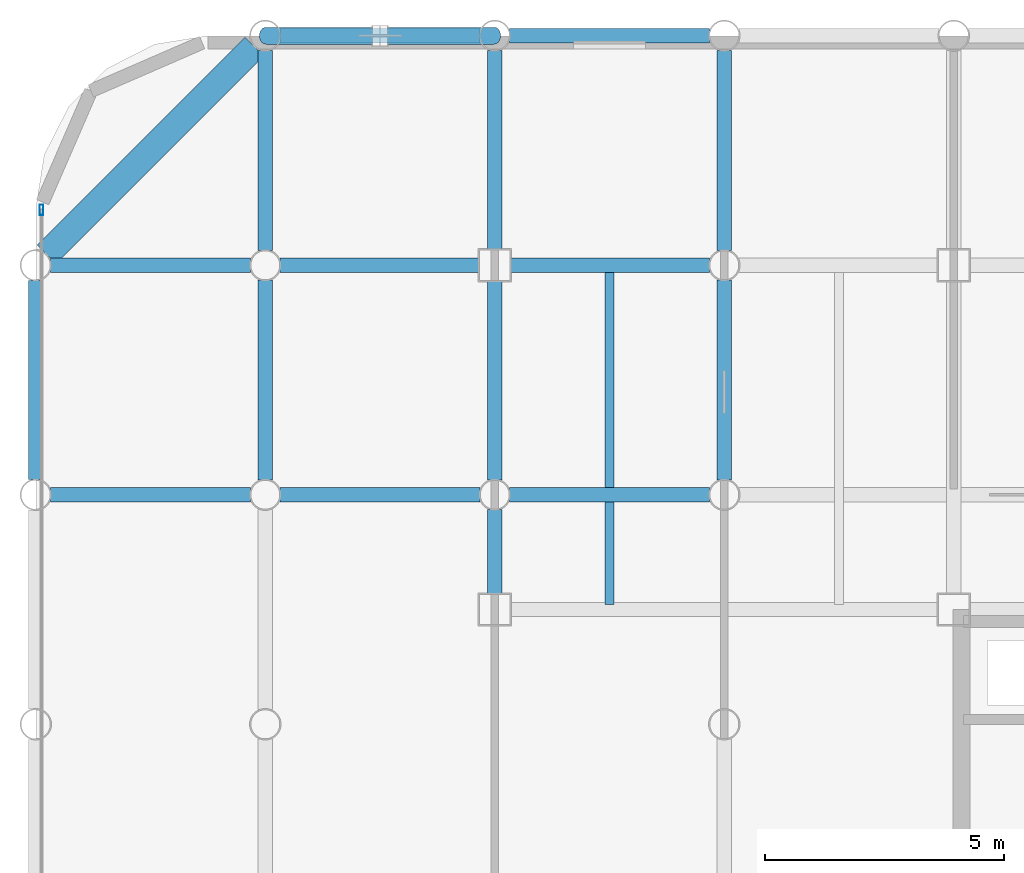
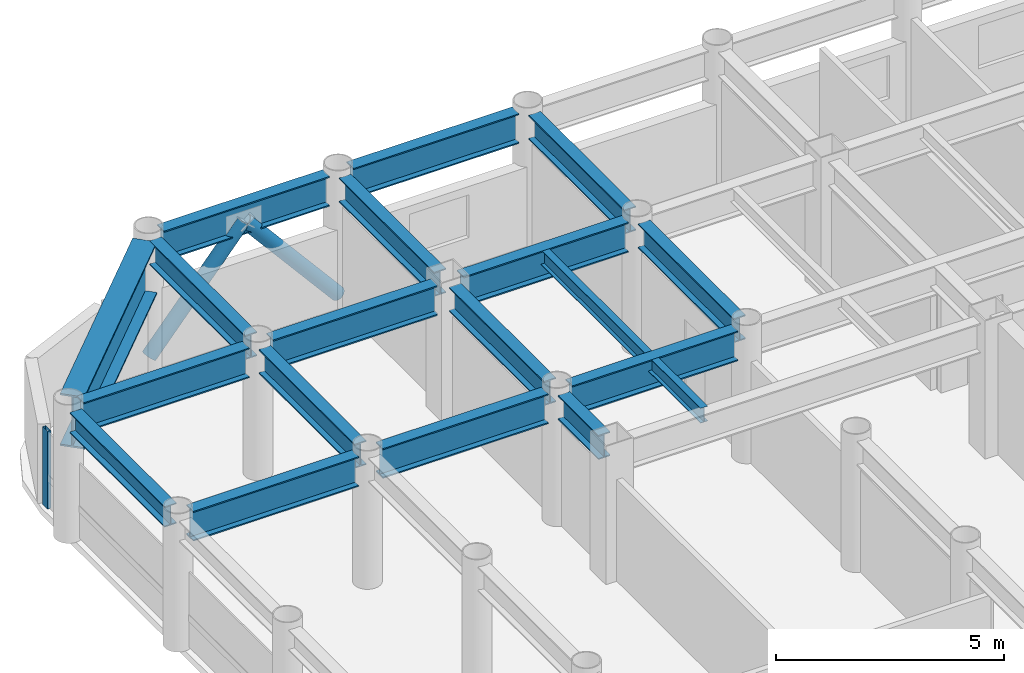
# One storey, part 9 of 20: 18 beams, 3 members, 1 element without a shape of its own.
"""IFC4 building model written with IfcOpenShell, lengths in metres."""

from ifc_helpers import new_model, si_unit, direction, frame, origin, origin_2d, place, context, subcontext, project, spatial, hollow_rectangle, hollow_circle, i_section, extrude, material, layer, layer_set, material_profile, profile_set, type_object, element, aggregate, save


model = new_model("IFC4")

# Units and contexts
model_context = context("Model", 3, precision=1e-05, world=origin(), true_north=direction((0.0, 1.0)))
body_context = subcontext(model_context, "Body", "Model", "MODEL_VIEW")
ifc_project = project(units=[si_unit("LENGTHUNIT", "METRE"), si_unit("AREAUNIT", "SQUARE_METRE"), si_unit("VOLUMEUNIT", "CUBIC_METRE"), si_unit("PLANEANGLEUNIT", "RADIAN"), si_unit("MASSUNIT", "GRAM", prefix="KILO")], contexts=[model_context])

# Site, building, storey
site_placement = place(None, origin())
site = spatial("IfcSite", under=ifc_project, at=site_placement, CompositionType="ELEMENT")
building_placement = place(site_placement, origin())
building = spatial("IfcBuilding", under=site, at=building_placement, Name="Kallvorn Hotel Tower", CompositionType="ELEMENT")
storey_placement = place(building_placement, frame((0.0, 0.0, 158.10009765625)))
storey = spatial("IfcBuildingStorey", under=building, at=storey_placement, Name="L39", CompositionType="ELEMENT", Elevation=158.10009765625)

# Beams
ifc_material_1 = material(Name="Structural steel S355JR", Category="steel")
ifc_material_profile_1 = material_profile(ifc_material_1, i_section(OverallWidth=0.300048828125, OverallDepth=0.550048828125, WebThickness=0.014892578125, FlangeThickness=0.029052734375, at=origin_2d()), Name="HE 550 B")
ifc_profile_set_1 = profile_set([ifc_material_profile_1], Name="Structural steel S355JR")
beam_type_1 = type_object("IfcBeamType", Name="BM_HE550B", PredefinedType="SPANDREL", material=ifc_profile_set_1)
beam_1_placement = place(storey_placement, frame((-33.60009765625, 9.919921875, 3.244873046875), z_axis=(0.0, 1.0, 0.0), x_axis=(-1.0, 0.0, 0.0)))
element("IfcBeam", 1, at=beam_1_placement, inside=storey, type_object=beam_type_1, Name="L40 Perimeter Spandrel 180", PredefinedType="SPANDREL", context=body_context, shape_type="SweptSolid", body=[
    extrude(i_section(OverallWidth=0.300048828125, OverallDepth=0.550048828125, WebThickness=0.014892578125, FlangeThickness=0.029052734375, at=origin_2d()), origin(), (0.0, 0.0, 1.0), 4.16015625),
])
ifc_material_2 = material(Name="Structural steel S355JR", Category="steel")
ifc_material_profile_2 = material_profile(ifc_material_2, i_section(OverallWidth=0.300048828125, OverallDepth=0.64990234375, WebThickness=0.01611328125, FlangeThickness=0.031005859375, at=origin_2d()), Name="HE 650 B")
ifc_profile_set_2 = profile_set([ifc_material_profile_2], Name="Structural steel S355JR")
beam_type_2 = type_object("IfcBeamType", Name="BM_HE650B", PredefinedType="BEAM", material=ifc_profile_set_2)
for number, where, z_axis, x_axis, name in (
    (2, (-28.800048828125, 9.905029296875, 3.19482421875), (0.0, 1.0, 0.0), (-1.0, 0.0, 0.0), "L40 Primary Y-Girder 80"),
    (3, (-28.800048828125, 14.705078125, 3.19482421875), (0.0, 1.0, 0.0), (-1.0, 0.0, 0.0), "L40 Primary Y-Girder 81"),
):
    element("IfcBeam", number, at=place(storey_placement, frame(where, z_axis=z_axis, x_axis=x_axis)), inside=storey, type_object=beam_type_2, Name=name, PredefinedType="BEAM", context=body_context, shape_type="SweptSolid", body=[
        extrude(i_section(OverallWidth=0.300048828125, OverallDepth=0.64990234375, WebThickness=0.01611328125, FlangeThickness=0.031005859375, at=origin_2d()), origin(), (0.0, 0.0, 1.0), 4.18994140625),
    ])
beam_2_placement = place(storey_placement, frame((-24.0, 7.52490234375, 3.19482421875), z_axis=(0.0, 1.0, 0.0), x_axis=(-1.0, 0.0, 0.0)))
element("IfcBeam", 4, at=beam_2_placement, inside=storey, type_object=beam_type_2, Name="L40 Primary Y-Girder 86", PredefinedType="BEAM", context=body_context, shape_type="SweptSolid", body=[
    extrude(i_section(OverallWidth=0.300048828125, OverallDepth=0.64990234375, WebThickness=0.01611328125, FlangeThickness=0.031005859375, at=origin_2d()), origin(), (0.0, 0.0, 1.0), 1.77001953125),
])
for number, where, z_axis, x_axis, name in (
    (5, (-24.0, 9.905029296875, 3.19482421875), (0.0, 1.0, 0.0), (-1.0, 0.0, 0.0), "L40 Primary Y-Girder 87"),
    (6, (-24.0, 14.72509765625, 3.19482421875), (0.0, 1.0, 0.0), (-1.0, 0.0, 0.0), "L40 Primary Y-Girder 88"),
):
    element("IfcBeam", number, at=place(storey_placement, frame(where, z_axis=z_axis, x_axis=x_axis)), inside=storey, type_object=beam_type_2, Name=name, PredefinedType="BEAM", context=body_context, shape_type="SweptSolid", body=[
        extrude(i_section(OverallWidth=0.300048828125, OverallDepth=0.64990234375, WebThickness=0.01611328125, FlangeThickness=0.031005859375, at=origin_2d()), origin(), (0.0, 0.0, 1.0), 4.169921875),
    ])
for number, where, z_axis, x_axis, name in (
    (7, (-19.199951171875, 9.905029296875, 3.19482421875), (0.0, 1.0, 0.0), (-1.0, 0.0, 0.0), "L40 Primary Y-Girder 96"),
    (8, (-19.199951171875, 14.705078125, 3.19482421875), (0.0, 1.0, 0.0), (-1.0, 0.0, 0.0), "L40 Primary Y-Girder 97"),
):
    element("IfcBeam", number, at=place(storey_placement, frame(where, z_axis=z_axis, x_axis=x_axis)), inside=storey, type_object=beam_type_2, Name=name, PredefinedType="BEAM", context=body_context, shape_type="SweptSolid", body=[
        extrude(i_section(OverallWidth=0.300048828125, OverallDepth=0.64990234375, WebThickness=0.01611328125, FlangeThickness=0.031005859375, at=origin_2d()), origin(), (0.0, 0.0, 1.0), 4.18994140625),
    ])
ifc_material_3 = material(Name="Structural steel S355JR", Category="steel")
ifc_material_profile_3 = material_profile(ifc_material_3, i_section(OverallWidth=0.300048828125, OverallDepth=0.800048828125, WebThickness=0.017578125, FlangeThickness=0.032958984375, at=origin_2d()), Name="HE 800 B")
ifc_profile_set_3 = profile_set([ifc_material_profile_3], Name="Structural steel S355JR")
beam_type_3 = type_object("IfcBeamType", Name="BM_HE800B", PredefinedType="BEAM", material=ifc_profile_set_3)
beam_3_placement = place(storey_placement, frame((-33.294921875, 9.60009765625, 3.119873046875), z_axis=(1.0, 0.0, 0.0), x_axis=(0.0, 1.0, 0.0)))
element("IfcBeam", 9, at=beam_3_placement, inside=storey, type_object=beam_type_3, Name="L40 Primary X-Girder 42", PredefinedType="BEAM", context=body_context, shape_type="SweptSolid", body=[
    extrude(i_section(OverallWidth=0.300048828125, OverallDepth=0.800048828125, WebThickness=0.017578125, FlangeThickness=0.032958984375, at=origin_2d()), origin(), (0.0, 0.0, 1.0), 4.18994140625),
])
for number, where, z_axis, x_axis, name in (
    (10, (-28.4951171875, 9.60009765625, 3.119873046875), (1.0, 0.0, 0.0), (0.0, 1.0, 0.0), "L40 Primary X-Girder 43"),
    (11, (-23.695068359375, 9.60009765625, 3.119873046875), (1.0, 0.0, 0.0), (0.0, 1.0, 0.0), "L40 Primary X-Girder 44"),
):
    element("IfcBeam", number, at=place(storey_placement, frame(where, z_axis=z_axis, x_axis=x_axis)), inside=storey, type_object=beam_type_3, Name=name, PredefinedType="BEAM", context=body_context, shape_type="SweptSolid", body=[
        extrude(i_section(OverallWidth=0.300048828125, OverallDepth=0.800048828125, WebThickness=0.017578125, FlangeThickness=0.032958984375, at=origin_2d()), origin(), (0.0, 0.0, 1.0), 4.190185546875),
    ])
beam_4_placement = place(storey_placement, frame((-33.294921875, 14.39990234375, 3.119873046875), z_axis=(1.0, 0.0, 0.0), x_axis=(0.0, 1.0, 0.0)))
element("IfcBeam", 12, at=beam_4_placement, inside=storey, type_object=beam_type_3, Name="L40 Primary X-Girder 51", PredefinedType="BEAM", context=body_context, shape_type="SweptSolid", body=[
    extrude(i_section(OverallWidth=0.300048828125, OverallDepth=0.800048828125, WebThickness=0.017578125, FlangeThickness=0.032958984375, at=origin_2d()), origin(), (0.0, 0.0, 1.0), 4.18994140625),
])
for number, where, z_axis, x_axis, name in (
    (13, (-28.4951171875, 14.39990234375, 3.119873046875), (1.0, 0.0, 0.0), (0.0, 1.0, 0.0), "L40 Primary X-Girder 52"),
    (14, (-23.675048828125, 14.39990234375, 3.119873046875), (1.0, 0.0, 0.0), (0.0, 1.0, 0.0), "L40 Primary X-Girder 53"),
):
    element("IfcBeam", number, at=place(storey_placement, frame(where, z_axis=z_axis, x_axis=x_axis)), inside=storey, type_object=beam_type_3, Name=name, PredefinedType="BEAM", context=body_context, shape_type="SweptSolid", body=[
        extrude(i_section(OverallWidth=0.300048828125, OverallDepth=0.800048828125, WebThickness=0.017578125, FlangeThickness=0.032958984375, at=origin_2d()), origin(), (0.0, 0.0, 1.0), 4.170166015625),
    ])
for number, where, z_axis, x_axis, name in (
    (15, (-28.4951171875, 19.199951171875, 3.119873046875), (1.0, 0.0, 0.0), (0.0, 1.0, 0.0), "L40 Primary X-Girder 61"),
    (16, (-23.695068359375, 19.199951171875, 3.119873046875), (1.0, 0.0, 0.0), (0.0, 1.0, 0.0), "L40 Primary X-Girder 62"),
):
    element("IfcBeam", number, at=place(storey_placement, frame(where, z_axis=z_axis, x_axis=x_axis)), inside=storey, type_object=beam_type_3, Name=name, PredefinedType="BEAM", context=body_context, shape_type="SweptSolid", body=[
        extrude(i_section(OverallWidth=0.300048828125, OverallDepth=0.800048828125, WebThickness=0.017578125, FlangeThickness=0.032958984375, at=origin_2d()), origin(), (0.0, 0.0, 1.0), 4.190185546875),
    ])
ifc_material_4 = material(Name="Structural steel S355JR", Category="steel")
ifc_material_profile_4 = material_profile(ifc_material_4, i_section(OverallWidth=0.179931640625, OverallDepth=0.39990234375, WebThickness=0.008544921875, FlangeThickness=0.013427734375, at=origin_2d()), Name="IPE 400")
ifc_profile_set_4 = profile_set([ifc_material_profile_4], Name="Structural steel S355JR")
beam_type_4 = type_object("IfcBeamType", Name="BM_IPE400", PredefinedType="JOIST", material=ifc_profile_set_4)
beam_5_placement = place(storey_placement, frame((-21.60009765625, 7.300048828125, 3.31982421875), z_axis=(0.0, 1.0, 0.0), x_axis=(-1.0, 0.0, 0.0)))
element("IfcBeam", 17, at=beam_5_placement, inside=storey, type_object=beam_type_4, Name="L40 Secondary Composite Joist 193", PredefinedType="JOIST", context=body_context, shape_type="SweptSolid", body=[
    extrude(i_section(OverallWidth=0.179931640625, OverallDepth=0.39990234375, WebThickness=0.008544921875, FlangeThickness=0.013427734375, at=origin_2d()), origin(), (0.0, 0.0, 1.0), 7.0),
])
ifc_material_5 = material(Name="Structural steel S355JR", Category="steel")
ifc_material_profile_5 = material_profile(ifc_material_5, i_section(OverallWidth=0.550048828125, OverallDepth=1.39990234375, WebThickness=0.02490234375, FlangeThickness=0.044921875, at=origin_2d()), Name="PG 1400x550x25x45")
ifc_profile_set_5 = profile_set([ifc_material_profile_5], Name="Structural steel S355JR")
beam_type_5 = type_object("IfcBeamType", Name="BM_PG_1400", PredefinedType="BEAM", material=ifc_profile_set_5)
beam_6_placement = place(storey_placement, frame((-33.373779296875, 14.626220703125, 2.81982421875), z_axis=(0.707106781187, 0.707106781187, 0.0), x_axis=(-0.707106781187, 0.707106781187, 0.0)))
element("IfcBeam", 18, at=beam_6_placement, inside=storey, type_object=beam_type_5, Name="L40 Rounded Corner Tie Beam 190", PredefinedType="BEAM", context=body_context, shape_type="SweptSolid", body=[
    extrude(i_section(OverallWidth=0.550048828125, OverallDepth=1.39990234375, WebThickness=0.02490234375, FlangeThickness=0.044921875, at=origin_2d()), origin(), (0.0, 0.0, 1.0), 6.148193359375),
])

# Curtain wall, member
ifc_material_6 = material(Name="Thermally broken black-anodised aluminium AA 6063-T6", Category="aluminium")
ifc_layer = layer(ifc_material_6, 0.2099609375)
ifc_layer_set = layer_set([ifc_layer], Name="CW_SYS_4_HOTEL_MID")
curtain_wall_type = type_object("IfcCurtainWallType", Name="CW_SYS_4_HOTEL_MID", PredefinedType="USERDEFINED", material=ifc_layer_set)
curtain_wall_placement = place(storey_placement, origin())
curtain_wall = element("IfcCurtainWall", 19, at=curtain_wall_placement, inside=storey, type_object=curtain_wall_type, Name="L39 Dark-Glass Curtain Wall CW-L39-WN", ObjectType="UNITISED CURTAIN WALL", PredefinedType="USERDEFINED")
ifc_material_7 = material(Name="Thermally broken black-anodised aluminium AA 6063-T6", Category="aluminium")
ifc_material_profile_6 = material_profile(ifc_material_7, hollow_rectangle(XDim=0.080078125, YDim=0.219970703125, WallThickness=0.0048828125, at=origin_2d()), Name="MUL 220x80")
ifc_profile_set_6 = profile_set([ifc_material_profile_6], Name="Thermally broken black-anodised aluminium AA 6063-T6")
member_type_1 = type_object("IfcMemberType", Name="CW_MULLION_220x80", PredefinedType="MULLION", material=ifc_profile_set_6)
member_placement = place(storey_placement, frame((-33.47998046875, 15.56005859375, 0.02001953125), z_axis=(0.0, 0.0, 1.0), x_axis=(1.0, 0.0, 0.0)))
member = element("IfcMember", 20, at=member_placement, type_object=member_type_1, Name="CW-L39-WN Mullion 01", PredefinedType="MULLION", context=body_context, shape_type="SweptSolid", body=[
    extrude(hollow_rectangle(XDim=0.080078125, YDim=0.219970703125, WallThickness=0.0048828125, at=origin_2d()), origin(), (0.0, 0.0, 1.0), 2.079833984375),
])
aggregate(curtain_wall, [member])

# Members
ifc_material_8 = material(Name="Structural steel S355J2H", Category="steel")
ifc_material_profile_7 = material_profile(ifc_material_8, hollow_circle(Radius=0.177734375, WallThickness=0.01416015625, at=origin_2d()), Name="CHS 355.6x14.2")
ifc_profile_set_7 = profile_set([ifc_material_profile_7], Name="Structural steel S355J2H")
member_type_2 = type_object("IfcMemberType", Name="MBR_EXO_CHS355", PredefinedType="BRACE", material=ifc_profile_set_7)
for number, where, z_axis, x_axis, name in (
    (21, (-28.787109375, 19.199951171875, 0.1953125), (0.646833296797, 0.0, 0.762631422218), (0.0, 1.0, 0.0), "L39 Exoskeleton K-Brace N1A"),
    (22, (-24.012939453125, 19.199951171875, 0.1953125), (-0.646833296797, 0.0, 0.762631422218), (0.0, -1.0, 0.0), "L39 Exoskeleton K-Brace N1B"),
):
    element("IfcMember", number, at=place(storey_placement, frame(where, z_axis=z_axis, x_axis=x_axis)), inside=storey, type_object=member_type_2, Name=name, PredefinedType="BRACE", context=body_context, shape_type="SweptSolid", body=[
        extrude(hollow_circle(Radius=0.177734375, WallThickness=0.01416015625, at=origin_2d()), origin(), (0.0, 0.0, 1.0), 3.670654296875),
    ])

save(model, "model.ifc")
